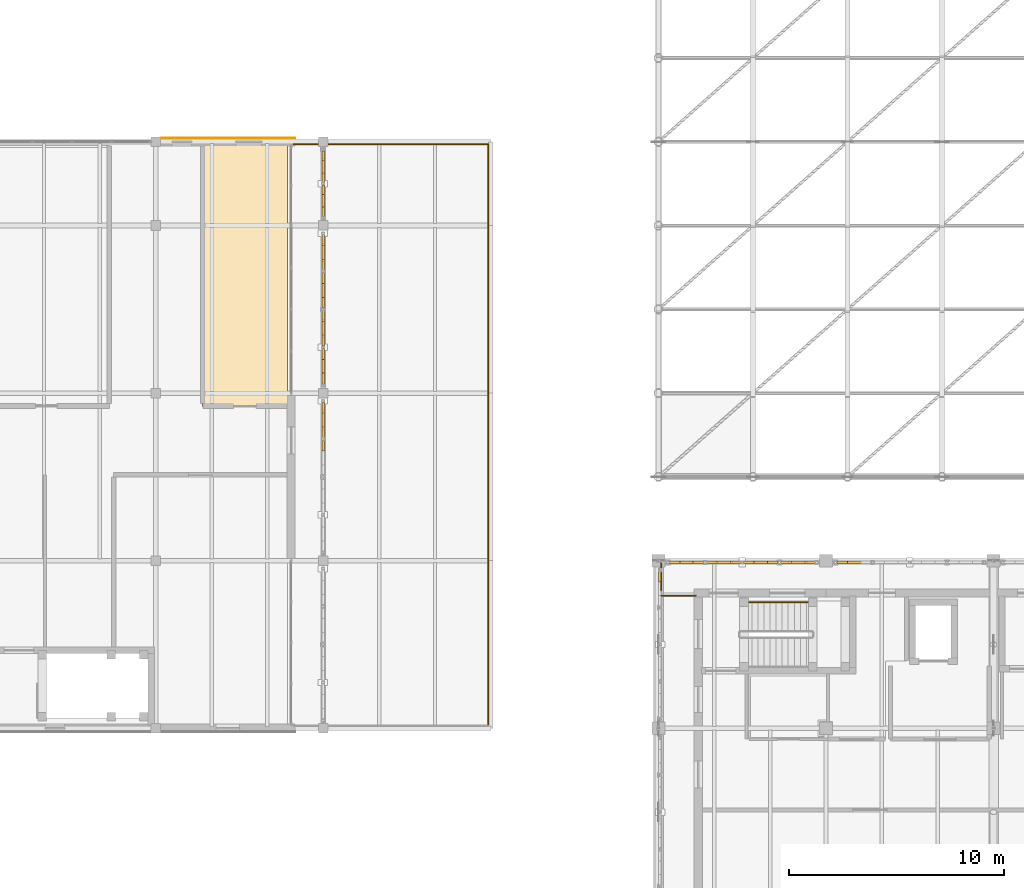
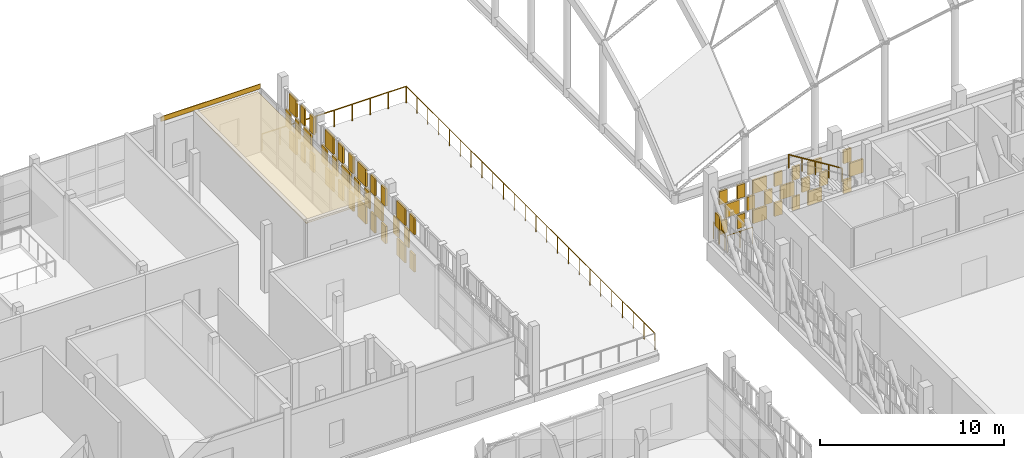
# One storey, part 108 of 119: 57 coverings, 5 railings.
"""IFC4 building model written with IfcOpenShell, lengths in metres."""

from ifc_helpers import new_model, si_unit, direction, frame, origin, origin_2d, place, context, subcontext, project, spatial, polyline, rectangle, circle, outline, extrude, material, layer, layer_set, type_object, element, save


model = new_model("IFC4")

# Units and contexts
model_context = context("Model", 3, precision=1e-05, world=origin(), true_north=direction((0.0, 1.0)))
body_context = subcontext(model_context, "Body", "Model", "MODEL_VIEW")
ifc_project = project(units=[si_unit("LENGTHUNIT", "METRE"), si_unit("AREAUNIT", "SQUARE_METRE"), si_unit("VOLUMEUNIT", "CUBIC_METRE"), si_unit("PLANEANGLEUNIT", "RADIAN"), si_unit("MASSUNIT", "GRAM", prefix="KILO")], contexts=[model_context])

# Site, building, storey
site_placement = place(None, origin())
site = spatial("IfcSite", under=ifc_project, at=site_placement, CompositionType="ELEMENT")
building_placement = place(site_placement, origin())
building = spatial("IfcBuilding", under=site, at=building_placement, Name="Celorna Specialist Clinic", CompositionType="ELEMENT")
storey_placement = place(building_placement, frame((0.0, 0.0, 9.60009765625)))
storey = spatial("IfcBuildingStorey", under=building, at=storey_placement, Name="L02", CompositionType="ELEMENT", Elevation=9.60009765625)

# Railings
ifc_material_1 = material(Name="Stainless steel and laminated glass balustrade", Category="steel")
railing_type_1 = type_object("IfcRailingType", Name="BL-01", PredefinedType="BALUSTRADE", material=ifc_material_1)
railing_1_placement = place(storey_placement, frame((37.6201171875, 62.280029296875, 0.0)))
element("IfcRailing", 1, at=railing_1_placement, inside=storey, type_object=railing_type_1, Name="Nuclear Medicine Cloister Terrace perimeter balustrade 2", PredefinedType="BALUSTRADE", context=body_context, shape_type="SweptSolid", body=[
    extrude(circle(Radius=0.02392578125, at=origin_2d()), frame((0.0, 0.0, 1.09619140625), z_axis=(1.0, 0.0, 0.0), x_axis=(0.0, 1.0, 0.0)), (0.0, 0.0, 1.0), 9.059814453125),
    extrude(circle(Radius=0.02099609375, at=origin_2d()), origin(), (0.0, 0.0, 1.0), 1.072021484375),
    extrude(circle(Radius=0.02099609375, at=origin_2d()), frame((1.132568359375, 0.0, 0.0)), (0.0, 0.0, 1.0), 1.072021484375),
    extrude(circle(Radius=0.02099609375, at=origin_2d()), frame((2.264892578125, 0.0, 0.0)), (0.0, 0.0, 1.0), 1.072021484375),
    extrude(circle(Radius=0.02099609375, at=origin_2d()), frame((3.3974609375, 0.0, 0.0)), (0.0, 0.0, 1.0), 1.072021484375),
    extrude(circle(Radius=0.02099609375, at=origin_2d()), frame((4.52978515625, 0.0, 0.0)), (0.0, 0.0, 1.0), 1.072021484375),
    extrude(circle(Radius=0.02099609375, at=origin_2d()), frame((5.662353515625, 0.0, 0.0)), (0.0, 0.0, 1.0), 1.072021484375),
    extrude(circle(Radius=0.02099609375, at=origin_2d()), frame((6.794921875, 0.0, 0.0)), (0.0, 0.0, 1.0), 1.072021484375),
    extrude(circle(Radius=0.02099609375, at=origin_2d()), frame((7.92724609375, 0.0, 0.0)), (0.0, 0.0, 1.0), 1.072021484375),
    extrude(circle(Radius=0.02099609375, at=origin_2d()), frame((9.059814453125, 0.0, 0.0)), (0.0, 0.0, 1.0), 1.072021484375),
])
railing_2_placement = place(storey_placement, frame((46.679931640625, 62.280029296875, 0.0)))
element("IfcRailing", 2, at=railing_2_placement, inside=storey, type_object=railing_type_1, Name="Nuclear Medicine Cloister Terrace perimeter balustrade 3", PredefinedType="BALUSTRADE", context=body_context, shape_type="SweptSolid", body=[
    extrude(circle(Radius=0.02392578125, at=origin_2d()), frame((0.0, 0.0, 1.09619140625), z_axis=(0.0, -1.0, 0.0), x_axis=(1.0, 0.0, 0.0)), (0.0, 0.0, 1.0), 27.06005859375),
    extrude(circle(Radius=0.02099609375, at=origin_2d()), origin(), (0.0, 0.0, 1.0), 1.072021484375),
    extrude(circle(Radius=0.02099609375, at=origin_2d()), frame((0.0, -1.176513671875, 0.0)), (0.0, 0.0, 1.0), 1.072021484375),
    extrude(circle(Radius=0.02099609375, at=origin_2d()), frame((0.0, -2.35302734375, 0.0)), (0.0, 0.0, 1.0), 1.072021484375),
    extrude(circle(Radius=0.02099609375, at=origin_2d()), frame((0.0, -3.529541015625, 0.0)), (0.0, 0.0, 1.0), 1.072021484375),
    extrude(circle(Radius=0.02099609375, at=origin_2d()), frame((0.0, -4.7060546875, 0.0)), (0.0, 0.0, 1.0), 1.072021484375),
    extrude(circle(Radius=0.02099609375, at=origin_2d()), frame((0.0, -5.882568359375, 0.0)), (0.0, 0.0, 1.0), 1.072021484375),
    extrude(circle(Radius=0.02099609375, at=origin_2d()), frame((0.0, -7.05908203125, 0.0)), (0.0, 0.0, 1.0), 1.072021484375),
    extrude(circle(Radius=0.02099609375, at=origin_2d()), frame((0.0, -8.235595703125, 0.0)), (0.0, 0.0, 1.0), 1.072021484375),
    extrude(circle(Radius=0.02099609375, at=origin_2d()), frame((0.0, -9.412109375, 0.0)), (0.0, 0.0, 1.0), 1.072021484375),
    extrude(circle(Radius=0.02099609375, at=origin_2d()), frame((0.0, -10.588623046875, 0.0)), (0.0, 0.0, 1.0), 1.072021484375),
    extrude(circle(Radius=0.02099609375, at=origin_2d()), frame((0.0, -11.76513671875, 0.0)), (0.0, 0.0, 1.0), 1.072021484375),
    extrude(circle(Radius=0.02099609375, at=origin_2d()), frame((0.0, -12.941650390625, 0.0)), (0.0, 0.0, 1.0), 1.072021484375),
    extrude(circle(Radius=0.02099609375, at=origin_2d()), frame((0.0, -14.118408203125, 0.0)), (0.0, 0.0, 1.0), 1.072021484375),
    extrude(circle(Radius=0.02099609375, at=origin_2d()), frame((0.0, -15.294921875, 0.0)), (0.0, 0.0, 1.0), 1.072021484375),
    extrude(circle(Radius=0.02099609375, at=origin_2d()), frame((0.0, -16.471435546875, 0.0)), (0.0, 0.0, 1.0), 1.072021484375),
    extrude(circle(Radius=0.02099609375, at=origin_2d()), frame((0.0, -17.64794921875, 0.0)), (0.0, 0.0, 1.0), 1.072021484375),
    extrude(circle(Radius=0.02099609375, at=origin_2d()), frame((0.0, -18.824462890625, 0.0)), (0.0, 0.0, 1.0), 1.072021484375),
    extrude(circle(Radius=0.02099609375, at=origin_2d()), frame((0.0, -20.0009765625, 0.0)), (0.0, 0.0, 1.0), 1.072021484375),
    extrude(circle(Radius=0.02099609375, at=origin_2d()), frame((0.0, -21.177490234375, 0.0)), (0.0, 0.0, 1.0), 1.072021484375),
    extrude(circle(Radius=0.02099609375, at=origin_2d()), frame((0.0, -22.35400390625, 0.0)), (0.0, 0.0, 1.0), 1.072021484375),
    extrude(circle(Radius=0.02099609375, at=origin_2d()), frame((0.0, -23.530517578125, 0.0)), (0.0, 0.0, 1.0), 1.072021484375),
    extrude(circle(Radius=0.02099609375, at=origin_2d()), frame((0.0, -24.70703125, 0.0)), (0.0, 0.0, 1.0), 1.072021484375),
    extrude(circle(Radius=0.02099609375, at=origin_2d()), frame((0.0, -25.883544921875, 0.0)), (0.0, 0.0, 1.0), 1.072021484375),
    extrude(circle(Radius=0.02099609375, at=origin_2d()), frame((0.0, -27.06005859375, 0.0)), (0.0, 0.0, 1.0), 1.072021484375),
])
railing_3_placement = place(storey_placement, frame((54.719970703125, 41.280029296875, 0.0)))
element("IfcRailing", 3, at=railing_3_placement, inside=storey, type_object=railing_type_1, Name="Lecture Wing Cantilever Veranda L02 perimeter balustrade 2", PredefinedType="BALUSTRADE", context=body_context, shape_type="SweptSolid", body=[
    extrude(circle(Radius=0.02392578125, at=origin_2d()), frame((0.0, 0.0, 1.09619140625), z_axis=(1.0, 0.0, 0.0), x_axis=(0.0, 1.0, 0.0)), (0.0, 0.0, 1.0), 1.610107421875),
    extrude(circle(Radius=0.02099609375, at=origin_2d()), origin(), (0.0, 0.0, 1.0), 1.072021484375),
    extrude(circle(Radius=0.02099609375, at=origin_2d()), frame((0.80517578125, 0.0, 0.0)), (0.0, 0.0, 1.0), 1.072021484375),
    extrude(circle(Radius=0.02099609375, at=origin_2d()), frame((1.610107421875, 0.0, 0.0)), (0.0, 0.0, 1.0), 1.072021484375),
])
railing_4_placement = place(storey_placement, frame((54.719970703125, 41.52001953125, 0.0)))
element("IfcRailing", 4, at=railing_4_placement, inside=storey, type_object=railing_type_1, Name="Lecture Wing North Court Veranda L02 perimeter balustrade 1", PredefinedType="BALUSTRADE", context=body_context, shape_type="SweptSolid", body=[
    extrude(circle(Radius=0.02392578125, at=origin_2d()), frame((0.0, 0.0, 1.09619140625), z_axis=(0.0, 1.0, 0.0), x_axis=(-1.0, 0.0, 0.0)), (0.0, 0.0, 1.0), 1.260009765625),
    extrude(circle(Radius=0.02099609375, at=origin_2d()), origin(), (0.0, 0.0, 1.0), 1.072021484375),
    extrude(circle(Radius=0.02099609375, at=origin_2d()), frame((0.0, 0.6298828125, 0.0)), (0.0, 0.0, 1.0), 1.072021484375),
    extrude(circle(Radius=0.02099609375, at=origin_2d()), frame((0.0, 1.260009765625, 0.0)), (0.0, 0.0, 1.0), 1.072021484375),
])

# Coverings
ifc_material_2 = material(Name="Hygienic acoustic mineral-fibre ceiling")
ifc_layer_1 = layer(ifc_material_2, 0.030029296875, Name="Hygienic acoustic mineral-fibre ceiling")
ifc_layer_set_1 = layer_set([ifc_layer_1], Name="Hygienic acoustic mineral-fibre ceiling")
covering_type_1 = type_object("IfcCoveringType", Name="CE-01", PredefinedType="CEILING", material=ifc_layer_set_1)
covering_1_placement = place(storey_placement, frame((0.0, 0.0, 4.02978515625)))
element("IfcCovering", 5, at=covering_1_placement, inside=storey, type_object=covering_type_1, Name="Acoustic ceiling L02-021", PredefinedType="CEILING", context=body_context, shape_type="SweptSolid", body=[
    extrude(outline(polyline([(37.324951171875, 62.22509765625), (37.324951171875, 50.0849609375), (33.375, 50.0849609375), (33.375, 62.22509765625), (37.324951171875, 62.22509765625)])), origin(), (0.0, 0.0, 1.0), 0.030029296875),
])
ifc_material_3 = material(Name="Pero Pinheiro Lioz limestone rainscreen cladding", Category="masonry")
ifc_layer_2 = layer(ifc_material_3, 0.044921875, Name="Pero Pinheiro Lioz limestone rainscreen cladding")
ifc_layer_set_2 = layer_set([ifc_layer_2], Name="Pero Pinheiro Lioz limestone rainscreen cladding")
covering_type_2 = type_object("IfcCoveringType", Name="CL-01", PredefinedType="CLADDING", material=ifc_layer_set_2)
covering_2_placement = place(storey_placement, frame((34.5576171875, 62.5673828125, 3.925048828125), z_axis=(0.0, 0.0, 1.0), x_axis=(1.0, 0.0, 0.0)))
element("IfcCovering", 6, at=covering_2_placement, inside=storey, type_object=covering_type_2, Name="Lioz spandrel cladding #135", PredefinedType="CLADDING", context=body_context, shape_type="SweptSolid", body=[
    extrude(rectangle(XDim=6.264892578125, YDim=0.044921875, at=origin_2d()), origin(), (0.0, 0.0, 1.0), 0.31494140625),
])
ifc_material_4 = material(Name="Perforated terracotta brick weave cladding", Category="masonry")
ifc_layer_3 = layer(ifc_material_4, 0.114990234375, Name="Perforated terracotta brick weave cladding")
ifc_layer_set_3 = layer_set([ifc_layer_3], Name="Perforated terracotta brick weave cladding")
covering_type_3 = type_object("IfcCoveringType", Name="CL-02", PredefinedType="CLADDING", material=ifc_layer_set_3)
for number, where, z_axis, x_axis, name in (
    (7, (54.669921875, 42.154296875, 1.09326171875), (0.0, 0.0, 1.0), (0.0, 1.0, 0.0), "Woven perforated terracotta brick course #225"),
    (8, (55.345458984375, 42.830078125, 0.099609375), (0.0, 0.0, 1.0), (1.0, 0.0, 0.0), "Woven perforated terracotta brick course #473"),
    (9, (56.46435546875, 42.830078125, 0.099609375), (0.0, 0.0, 1.0), (1.0, 0.0, 0.0), "Woven perforated terracotta brick course #474"),
):
    element("IfcCovering", number, at=place(storey_placement, frame(where, z_axis=z_axis, x_axis=x_axis)), inside=storey, type_object=covering_type_3, Name=name, PredefinedType="CLADDING", context=body_context, shape_type="SweptSolid", body=[
        extrude(rectangle(XDim=0.4912109375, YDim=0.114990234375, at=origin_2d()), origin(), (0.0, 0.0, 1.0), 0.893310546875),
    ])
covering_3_placement = place(storey_placement, frame((55.905029296875, 42.830078125, 1.09326171875), z_axis=(0.0, 0.0, 1.0), x_axis=(1.0, 0.0, 0.0)))
element("IfcCovering", 10, at=covering_3_placement, inside=storey, type_object=covering_type_3, Name="Woven perforated terracotta brick course #475", PredefinedType="CLADDING", context=body_context, shape_type="SweptSolid", body=[
    extrude(rectangle(XDim=0.869384765625, YDim=0.114990234375, at=origin_2d()), origin(), (0.0, 0.0, 1.0), 0.893310546875),
])
for number, where, z_axis, x_axis, name in (
    (11, (55.345458984375, 42.830078125, 2.08642578125), (0.0, 0.0, 1.0), (1.0, 0.0, 0.0), "Woven perforated terracotta brick course #476"),
    (12, (56.46435546875, 42.830078125, 2.08642578125), (0.0, 0.0, 1.0), (1.0, 0.0, 0.0), "Woven perforated terracotta brick course #477"),
):
    element("IfcCovering", number, at=place(storey_placement, frame(where, z_axis=z_axis, x_axis=x_axis)), inside=storey, type_object=covering_type_3, Name=name, PredefinedType="CLADDING", context=body_context, shape_type="SweptSolid", body=[
        extrude(rectangle(XDim=0.4912109375, YDim=0.114990234375, at=origin_2d()), origin(), (0.0, 0.0, 1.0), 0.893310546875),
    ])
covering_4_placement = place(storey_placement, frame((57.635009765625, 42.830078125, 0.099609375), z_axis=(0.0, 0.0, 1.0), x_axis=(1.0, 0.0, 0.0)))
element("IfcCovering", 13, at=covering_4_placement, inside=storey, type_object=covering_type_3, Name="Woven perforated terracotta brick course #478", PredefinedType="CLADDING", context=body_context, shape_type="SweptSolid", body=[
    extrude(rectangle(XDim=0.869384765625, YDim=0.114990234375, at=origin_2d()), origin(), (0.0, 0.0, 1.0), 0.893310546875),
])
for number, where, z_axis, x_axis, name in (
    (14, (57.075439453125, 42.830078125, 1.09326171875), (0.0, 0.0, 1.0), (1.0, 0.0, 0.0), "Woven perforated terracotta brick course #479"),
    (15, (58.194580078125, 42.830078125, 1.09326171875), (0.0, 0.0, 1.0), (1.0, 0.0, 0.0), "Woven perforated terracotta brick course #480"),
):
    element("IfcCovering", number, at=place(storey_placement, frame(where, z_axis=z_axis, x_axis=x_axis)), inside=storey, type_object=covering_type_3, Name=name, PredefinedType="CLADDING", context=body_context, shape_type="SweptSolid", body=[
        extrude(rectangle(XDim=0.4912109375, YDim=0.114990234375, at=origin_2d()), origin(), (0.0, 0.0, 1.0), 0.893310546875),
    ])
covering_5_placement = place(storey_placement, frame((57.635009765625, 42.830078125, 2.08642578125), z_axis=(0.0, 0.0, 1.0), x_axis=(1.0, 0.0, 0.0)))
element("IfcCovering", 16, at=covering_5_placement, inside=storey, type_object=covering_type_3, Name="Woven perforated terracotta brick course #481", PredefinedType="CLADDING", context=body_context, shape_type="SweptSolid", body=[
    extrude(rectangle(XDim=0.869384765625, YDim=0.114990234375, at=origin_2d()), origin(), (0.0, 0.0, 1.0), 0.893310546875),
])
for number, where, z_axis, x_axis, name in (
    (17, (58.805419921875, 42.830078125, 0.099609375), (0.0, 0.0, 1.0), (1.0, 0.0, 0.0), "Woven perforated terracotta brick course #482"),
    (18, (59.924560546875, 42.830078125, 0.099609375), (0.0, 0.0, 1.0), (1.0, 0.0, 0.0), "Woven perforated terracotta brick course #483"),
):
    element("IfcCovering", number, at=place(storey_placement, frame(where, z_axis=z_axis, x_axis=x_axis)), inside=storey, type_object=covering_type_3, Name=name, PredefinedType="CLADDING", context=body_context, shape_type="SweptSolid", body=[
        extrude(rectangle(XDim=0.4912109375, YDim=0.114990234375, at=origin_2d()), origin(), (0.0, 0.0, 1.0), 0.893310546875),
    ])
covering_6_placement = place(storey_placement, frame((59.364990234375, 42.830078125, 1.09326171875), z_axis=(0.0, 0.0, 1.0), x_axis=(1.0, 0.0, 0.0)))
element("IfcCovering", 19, at=covering_6_placement, inside=storey, type_object=covering_type_3, Name="Woven perforated terracotta brick course #484", PredefinedType="CLADDING", context=body_context, shape_type="SweptSolid", body=[
    extrude(rectangle(XDim=0.869384765625, YDim=0.114990234375, at=origin_2d()), origin(), (0.0, 0.0, 1.0), 0.893310546875),
])
for number, where, z_axis, x_axis, name in (
    (20, (58.805419921875, 42.830078125, 2.08642578125), (0.0, 0.0, 1.0), (1.0, 0.0, 0.0), "Woven perforated terracotta brick course #485"),
    (21, (59.924560546875, 42.830078125, 2.08642578125), (0.0, 0.0, 1.0), (1.0, 0.0, 0.0), "Woven perforated terracotta brick course #486"),
):
    element("IfcCovering", number, at=place(storey_placement, frame(where, z_axis=z_axis, x_axis=x_axis)), inside=storey, type_object=covering_type_3, Name=name, PredefinedType="CLADDING", context=body_context, shape_type="SweptSolid", body=[
        extrude(rectangle(XDim=0.4912109375, YDim=0.114990234375, at=origin_2d()), origin(), (0.0, 0.0, 1.0), 0.893310546875),
    ])
covering_7_placement = place(storey_placement, frame((61.094970703125, 42.830078125, 0.099609375), z_axis=(0.0, 0.0, 1.0), x_axis=(1.0, 0.0, 0.0)))
element("IfcCovering", 22, at=covering_7_placement, inside=storey, type_object=covering_type_3, Name="Woven perforated terracotta brick course #487", PredefinedType="CLADDING", context=body_context, shape_type="SweptSolid", body=[
    extrude(rectangle(XDim=0.869384765625, YDim=0.114990234375, at=origin_2d()), origin(), (0.0, 0.0, 1.0), 0.893310546875),
])
for number, where, z_axis, x_axis, name in (
    (23, (60.53564453125, 42.830078125, 1.09326171875), (0.0, 0.0, 1.0), (1.0, 0.0, 0.0), "Woven perforated terracotta brick course #488"),
    (24, (61.654296875, 42.830078125, 1.09326171875), (0.0, 0.0, 1.0), (1.0, 0.0, 0.0), "Woven perforated terracotta brick course #489"),
):
    element("IfcCovering", number, at=place(storey_placement, frame(where, z_axis=z_axis, x_axis=x_axis)), inside=storey, type_object=covering_type_3, Name=name, PredefinedType="CLADDING", context=body_context, shape_type="SweptSolid", body=[
        extrude(rectangle(XDim=0.4912109375, YDim=0.114990234375, at=origin_2d()), origin(), (0.0, 0.0, 1.0), 0.893310546875),
    ])
covering_8_placement = place(storey_placement, frame((61.094970703125, 42.830078125, 2.08642578125), z_axis=(0.0, 0.0, 1.0), x_axis=(1.0, 0.0, 0.0)))
element("IfcCovering", 25, at=covering_8_placement, inside=storey, type_object=covering_type_3, Name="Woven perforated terracotta brick course #490", PredefinedType="CLADDING", context=body_context, shape_type="SweptSolid", body=[
    extrude(rectangle(XDim=0.869384765625, YDim=0.114990234375, at=origin_2d()), origin(), (0.0, 0.0, 1.0), 0.893310546875),
])
covering_9_placement = place(storey_placement, frame((63.1455078125, 42.830078125, 0.099609375), z_axis=(0.0, 0.0, 1.0), x_axis=(1.0, 0.0, 0.0)))
element("IfcCovering", 26, at=covering_9_placement, inside=storey, type_object=covering_type_3, Name="Woven perforated terracotta brick course #491", PredefinedType="CLADDING", context=body_context, shape_type="SweptSolid", body=[
    extrude(rectangle(XDim=0.4912109375, YDim=0.114990234375, at=origin_2d()), origin(), (0.0, 0.0, 1.0), 0.893310546875),
])
covering_10_placement = place(storey_placement, frame((63.705078125, 42.830078125, 1.09326171875), z_axis=(0.0, 0.0, 1.0), x_axis=(1.0, 0.0, 0.0)))
element("IfcCovering", 27, at=covering_10_placement, inside=storey, type_object=covering_type_3, Name="Woven perforated terracotta brick course #493", PredefinedType="CLADDING", context=body_context, shape_type="SweptSolid", body=[
    extrude(rectangle(XDim=0.869384765625, YDim=0.114990234375, at=origin_2d()), origin(), (0.0, 0.0, 1.0), 0.893310546875),
])
covering_11_placement = place(storey_placement, frame((63.1455078125, 42.830078125, 2.08642578125), z_axis=(0.0, 0.0, 1.0), x_axis=(1.0, 0.0, 0.0)))
element("IfcCovering", 28, at=covering_11_placement, inside=storey, type_object=covering_type_3, Name="Woven perforated terracotta brick course #494", PredefinedType="CLADDING", context=body_context, shape_type="SweptSolid", body=[
    extrude(rectangle(XDim=0.4912109375, YDim=0.114990234375, at=origin_2d()), origin(), (0.0, 0.0, 1.0), 0.893310546875),
])
for number, where, z_axis, x_axis, name in (
    (29, (38.989990234375, 48.25634765625, 0.10009765625), (0.0, 0.0, 1.0), (0.0, 1.0, 0.0), "Woven perforated terracotta brick course #1347"),
    (30, (38.989990234375, 48.25634765625, 2.59326171875), (0.0, 0.0, 1.0), (0.0, 1.0, 0.0), "Woven perforated terracotta brick course #1350"),
):
    element("IfcCovering", number, at=place(storey_placement, frame(where, z_axis=z_axis, x_axis=x_axis)), inside=storey, type_object=covering_type_3, Name=name, PredefinedType="CLADDING", context=body_context, shape_type="SweptSolid", body=[
        extrude(rectangle(XDim=0.50244140625, YDim=0.114990234375, at=origin_2d()), origin(), (0.0, 0.0, 1.0), 1.146728515625),
    ])
covering_12_placement = place(storey_placement, frame((38.989990234375, 49.451416015625, 0.10009765625), z_axis=(0.0, 0.0, 1.0), x_axis=(0.0, 1.0, 0.0)))
element("IfcCovering", 31, at=covering_12_placement, inside=storey, type_object=covering_type_3, Name="Woven perforated terracotta brick course #1351", PredefinedType="CLADDING", context=body_context, shape_type="SweptSolid", body=[
    extrude(rectangle(XDim=0.8896484375, YDim=0.114990234375, at=origin_2d()), origin(), (0.0, 0.0, 1.0), 1.146728515625),
])
for number, where, z_axis, x_axis, name in (
    (32, (38.989990234375, 48.87890625, 1.3466796875), (0.0, 0.0, 1.0), (0.0, 1.0, 0.0), "Woven perforated terracotta brick course #1352"),
    (33, (38.989990234375, 50.023681640625, 1.3466796875), (0.0, 0.0, 1.0), (0.0, 1.0, 0.0), "Woven perforated terracotta brick course #1353"),
):
    element("IfcCovering", number, at=place(storey_placement, frame(where, z_axis=z_axis, x_axis=x_axis)), inside=storey, type_object=covering_type_3, Name=name, PredefinedType="CLADDING", context=body_context, shape_type="SweptSolid", body=[
        extrude(rectangle(XDim=0.50244140625, YDim=0.114990234375, at=origin_2d()), origin(), (0.0, 0.0, 1.0), 1.146484375),
    ])
covering_13_placement = place(storey_placement, frame((38.989990234375, 49.451416015625, 2.59326171875), z_axis=(0.0, 0.0, 1.0), x_axis=(0.0, 1.0, 0.0)))
element("IfcCovering", 34, at=covering_13_placement, inside=storey, type_object=covering_type_3, Name="Woven perforated terracotta brick course #1354", PredefinedType="CLADDING", context=body_context, shape_type="SweptSolid", body=[
    extrude(rectangle(XDim=0.8896484375, YDim=0.114990234375, at=origin_2d()), origin(), (0.0, 0.0, 1.0), 1.146728515625),
])
for number, where, z_axis, x_axis, name in (
    (35, (38.989990234375, 51.376220703125, 0.10009765625), (0.0, 0.0, 1.0), (0.0, 1.0, 0.0), "Woven perforated terracotta brick course #1355"),
    (36, (38.989990234375, 52.521240234375, 0.10009765625), (0.0, 0.0, 1.0), (0.0, 1.0, 0.0), "Woven perforated terracotta brick course #1356"),
):
    element("IfcCovering", number, at=place(storey_placement, frame(where, z_axis=z_axis, x_axis=x_axis)), inside=storey, type_object=covering_type_3, Name=name, PredefinedType="CLADDING", context=body_context, shape_type="SweptSolid", body=[
        extrude(rectangle(XDim=0.50244140625, YDim=0.114990234375, at=origin_2d()), origin(), (0.0, 0.0, 1.0), 1.146728515625),
    ])
covering_14_placement = place(storey_placement, frame((38.989990234375, 51.94873046875, 1.3466796875), z_axis=(0.0, 0.0, 1.0), x_axis=(0.0, 1.0, 0.0)))
element("IfcCovering", 37, at=covering_14_placement, inside=storey, type_object=covering_type_3, Name="Woven perforated terracotta brick course #1357", PredefinedType="CLADDING", context=body_context, shape_type="SweptSolid", body=[
    extrude(rectangle(XDim=0.8896484375, YDim=0.114990234375, at=origin_2d()), origin(), (0.0, 0.0, 1.0), 1.146484375),
])
for number, where, z_axis, x_axis, name in (
    (38, (38.989990234375, 51.376220703125, 2.59326171875), (0.0, 0.0, 1.0), (0.0, 1.0, 0.0), "Woven perforated terracotta brick course #1358"),
    (39, (38.989990234375, 52.521240234375, 2.59326171875), (0.0, 0.0, 1.0), (0.0, 1.0, 0.0), "Woven perforated terracotta brick course #1359"),
):
    element("IfcCovering", number, at=place(storey_placement, frame(where, z_axis=z_axis, x_axis=x_axis)), inside=storey, type_object=covering_type_3, Name=name, PredefinedType="CLADDING", context=body_context, shape_type="SweptSolid", body=[
        extrude(rectangle(XDim=0.50244140625, YDim=0.114990234375, at=origin_2d()), origin(), (0.0, 0.0, 1.0), 1.146728515625),
    ])
covering_15_placement = place(storey_placement, frame((38.989990234375, 53.71630859375, 0.10009765625), z_axis=(0.0, 0.0, 1.0), x_axis=(0.0, 1.0, 0.0)))
element("IfcCovering", 40, at=covering_15_placement, inside=storey, type_object=covering_type_3, Name="Woven perforated terracotta brick course #1360", PredefinedType="CLADDING", context=body_context, shape_type="SweptSolid", body=[
    extrude(rectangle(XDim=0.8896484375, YDim=0.114990234375, at=origin_2d()), origin(), (0.0, 0.0, 1.0), 1.146728515625),
])
for number, where, z_axis, x_axis, name in (
    (41, (38.989990234375, 53.143798828125, 1.3466796875), (0.0, 0.0, 1.0), (0.0, 1.0, 0.0), "Woven perforated terracotta brick course #1361"),
    (42, (38.989990234375, 54.288818359375, 1.3466796875), (0.0, 0.0, 1.0), (0.0, 1.0, 0.0), "Woven perforated terracotta brick course #1362"),
):
    element("IfcCovering", number, at=place(storey_placement, frame(where, z_axis=z_axis, x_axis=x_axis)), inside=storey, type_object=covering_type_3, Name=name, PredefinedType="CLADDING", context=body_context, shape_type="SweptSolid", body=[
        extrude(rectangle(XDim=0.50244140625, YDim=0.114990234375, at=origin_2d()), origin(), (0.0, 0.0, 1.0), 1.146484375),
    ])
covering_16_placement = place(storey_placement, frame((38.989990234375, 53.71630859375, 2.59326171875), z_axis=(0.0, 0.0, 1.0), x_axis=(0.0, 1.0, 0.0)))
element("IfcCovering", 43, at=covering_16_placement, inside=storey, type_object=covering_type_3, Name="Woven perforated terracotta brick course #1363", PredefinedType="CLADDING", context=body_context, shape_type="SweptSolid", body=[
    extrude(rectangle(XDim=0.8896484375, YDim=0.114990234375, at=origin_2d()), origin(), (0.0, 0.0, 1.0), 1.146728515625),
])
for number, where, z_axis, x_axis, name in (
    (44, (38.989990234375, 54.911376953125, 0.10009765625), (0.0, 0.0, 1.0), (0.0, 1.0, 0.0), "Woven perforated terracotta brick course #1364"),
    (45, (38.989990234375, 56.05615234375, 0.10009765625), (0.0, 0.0, 1.0), (0.0, 1.0, 0.0), "Woven perforated terracotta brick course #1365"),
):
    element("IfcCovering", number, at=place(storey_placement, frame(where, z_axis=z_axis, x_axis=x_axis)), inside=storey, type_object=covering_type_3, Name=name, PredefinedType="CLADDING", context=body_context, shape_type="SweptSolid", body=[
        extrude(rectangle(XDim=0.50244140625, YDim=0.114990234375, at=origin_2d()), origin(), (0.0, 0.0, 1.0), 1.146728515625),
    ])
covering_17_placement = place(storey_placement, frame((38.989990234375, 55.48388671875, 1.3466796875), z_axis=(0.0, 0.0, 1.0), x_axis=(0.0, 1.0, 0.0)))
element("IfcCovering", 46, at=covering_17_placement, inside=storey, type_object=covering_type_3, Name="Woven perforated terracotta brick course #1366", PredefinedType="CLADDING", context=body_context, shape_type="SweptSolid", body=[
    extrude(rectangle(XDim=0.8896484375, YDim=0.114990234375, at=origin_2d()), origin(), (0.0, 0.0, 1.0), 1.146484375),
])
for number, where, z_axis, x_axis, name in (
    (47, (38.989990234375, 54.911376953125, 2.59326171875), (0.0, 0.0, 1.0), (0.0, 1.0, 0.0), "Woven perforated terracotta brick course #1367"),
    (48, (38.989990234375, 56.05615234375, 2.59326171875), (0.0, 0.0, 1.0), (0.0, 1.0, 0.0), "Woven perforated terracotta brick course #1368"),
):
    element("IfcCovering", number, at=place(storey_placement, frame(where, z_axis=z_axis, x_axis=x_axis)), inside=storey, type_object=covering_type_3, Name=name, PredefinedType="CLADDING", context=body_context, shape_type="SweptSolid", body=[
        extrude(rectangle(XDim=0.50244140625, YDim=0.114990234375, at=origin_2d()), origin(), (0.0, 0.0, 1.0), 1.146728515625),
    ])
covering_18_placement = place(storey_placement, frame((38.989990234375, 57.251220703125, 0.10009765625), z_axis=(0.0, 0.0, 1.0), x_axis=(0.0, 1.0, 0.0)))
element("IfcCovering", 49, at=covering_18_placement, inside=storey, type_object=covering_type_3, Name="Woven perforated terracotta brick course #1369", PredefinedType="CLADDING", context=body_context, shape_type="SweptSolid", body=[
    extrude(rectangle(XDim=0.8896484375, YDim=0.114990234375, at=origin_2d()), origin(), (0.0, 0.0, 1.0), 1.146728515625),
])
for number, where, z_axis, x_axis, name in (
    (50, (38.989990234375, 56.6787109375, 1.3466796875), (0.0, 0.0, 1.0), (0.0, 1.0, 0.0), "Woven perforated terracotta brick course #1370"),
    (51, (38.989990234375, 57.82373046875, 1.3466796875), (0.0, 0.0, 1.0), (0.0, 1.0, 0.0), "Woven perforated terracotta brick course #1371"),
):
    element("IfcCovering", number, at=place(storey_placement, frame(where, z_axis=z_axis, x_axis=x_axis)), inside=storey, type_object=covering_type_3, Name=name, PredefinedType="CLADDING", context=body_context, shape_type="SweptSolid", body=[
        extrude(rectangle(XDim=0.50244140625, YDim=0.114990234375, at=origin_2d()), origin(), (0.0, 0.0, 1.0), 1.146484375),
    ])
covering_19_placement = place(storey_placement, frame((38.989990234375, 57.251220703125, 2.59326171875), z_axis=(0.0, 0.0, 1.0), x_axis=(0.0, 1.0, 0.0)))
element("IfcCovering", 52, at=covering_19_placement, inside=storey, type_object=covering_type_3, Name="Woven perforated terracotta brick course #1372", PredefinedType="CLADDING", context=body_context, shape_type="SweptSolid", body=[
    extrude(rectangle(XDim=0.8896484375, YDim=0.114990234375, at=origin_2d()), origin(), (0.0, 0.0, 1.0), 1.146728515625),
])
for number, where, z_axis, x_axis, name in (
    (53, (38.989990234375, 59.1484375, 0.10009765625), (0.0, 0.0, 1.0), (0.0, 1.0, 0.0), "Woven perforated terracotta brick course #1373"),
    (54, (38.989990234375, 60.16650390625, 0.10009765625), (0.0, 0.0, 1.0), (0.0, 1.0, 0.0), "Woven perforated terracotta brick course #1374"),
):
    element("IfcCovering", number, at=place(storey_placement, frame(where, z_axis=z_axis, x_axis=x_axis)), inside=storey, type_object=covering_type_3, Name=name, PredefinedType="CLADDING", context=body_context, shape_type="SweptSolid", body=[
        extrude(rectangle(XDim=0.44677734375, YDim=0.114990234375, at=origin_2d()), origin(), (0.0, 0.0, 1.0), 1.146728515625),
    ])
covering_20_placement = place(storey_placement, frame((38.989990234375, 59.657470703125, 1.3466796875), z_axis=(0.0, 0.0, 1.0), x_axis=(0.0, 1.0, 0.0)))
element("IfcCovering", 55, at=covering_20_placement, inside=storey, type_object=covering_type_3, Name="Woven perforated terracotta brick course #1375", PredefinedType="CLADDING", context=body_context, shape_type="SweptSolid", body=[
    extrude(rectangle(XDim=0.791015625, YDim=0.114990234375, at=origin_2d()), origin(), (0.0, 0.0, 1.0), 1.146484375),
])
for number, where, z_axis, x_axis, name in (
    (56, (38.989990234375, 59.1484375, 2.59326171875), (0.0, 0.0, 1.0), (0.0, 1.0, 0.0), "Woven perforated terracotta brick course #1376"),
    (57, (38.989990234375, 60.16650390625, 2.59326171875), (0.0, 0.0, 1.0), (0.0, 1.0, 0.0), "Woven perforated terracotta brick course #1377"),
):
    element("IfcCovering", number, at=place(storey_placement, frame(where, z_axis=z_axis, x_axis=x_axis)), inside=storey, type_object=covering_type_3, Name=name, PredefinedType="CLADDING", context=body_context, shape_type="SweptSolid", body=[
        extrude(rectangle(XDim=0.44677734375, YDim=0.114990234375, at=origin_2d()), origin(), (0.0, 0.0, 1.0), 1.146728515625),
    ])
covering_21_placement = place(storey_placement, frame((38.989990234375, 61.242431640625, 0.10009765625), z_axis=(0.0, 0.0, 1.0), x_axis=(0.0, 1.0, 0.0)))
element("IfcCovering", 58, at=covering_21_placement, inside=storey, type_object=covering_type_3, Name="Woven perforated terracotta brick course #1378", PredefinedType="CLADDING", context=body_context, shape_type="SweptSolid", body=[
    extrude(rectangle(XDim=0.791015625, YDim=0.114990234375, at=origin_2d()), origin(), (0.0, 0.0, 1.0), 1.146728515625),
])
for number, where, z_axis, x_axis, name in (
    (59, (38.989990234375, 60.7333984375, 1.3466796875), (0.0, 0.0, 1.0), (0.0, 1.0, 0.0), "Woven perforated terracotta brick course #1379"),
    (60, (38.989990234375, 61.751708984375, 1.3466796875), (0.0, 0.0, 1.0), (0.0, 1.0, 0.0), "Woven perforated terracotta brick course #1380"),
):
    element("IfcCovering", number, at=place(storey_placement, frame(where, z_axis=z_axis, x_axis=x_axis)), inside=storey, type_object=covering_type_3, Name=name, PredefinedType="CLADDING", context=body_context, shape_type="SweptSolid", body=[
        extrude(rectangle(XDim=0.44677734375, YDim=0.114990234375, at=origin_2d()), origin(), (0.0, 0.0, 1.0), 1.146484375),
    ])
covering_22_placement = place(storey_placement, frame((38.989990234375, 61.242431640625, 2.59326171875), z_axis=(0.0, 0.0, 1.0), x_axis=(0.0, 1.0, 0.0)))
element("IfcCovering", 61, at=covering_22_placement, inside=storey, type_object=covering_type_3, Name="Woven perforated terracotta brick course #1381", PredefinedType="CLADDING", context=body_context, shape_type="SweptSolid", body=[
    extrude(rectangle(XDim=0.791015625, YDim=0.114990234375, at=origin_2d()), origin(), (0.0, 0.0, 1.0), 1.146728515625),
])

# Railing
ifc_material_5 = material(Name="Brushed stainless steel handrail", Category="steel")
railing_type_2 = type_object("IfcRailingType", Name="HR-01", PredefinedType="HANDRAIL", material=ifc_material_5)
railing_5_placement = place(storey_placement, frame((61.760009765625, 40.969970703125, 2.423095703125)))
element("IfcRailing", 62, at=railing_5_placement, inside=storey, type_object=railing_type_2, Name="L02 ST-08 stair handrail 2", PredefinedType="HANDRAIL", context=body_context, shape_type="SweptSolid", body=[
    extrude(circle(Radius=0.02392578125, at=origin_2d()), frame((0.0, 0.0, 0.8759765625), z_axis=(-0.850623216509, 0.0, 0.525775754039), x_axis=(0.0, -1.0, 0.0)), (0.0, 0.0, 1.0), 3.9501953125),
    extrude(circle(Radius=0.02099609375, at=origin_2d()), origin(), (0.0, 0.0, 1.0), 0.851806640625),
    extrude(circle(Radius=0.02099609375, at=origin_2d()), frame((-0.840087890625, 0.0, 0.519287109375)), (0.0, 0.0, 1.0), 0.851806640625),
    extrude(circle(Radius=0.02099609375, at=origin_2d()), frame((-1.68017578125, 0.0, 1.03857421875)), (0.0, 0.0, 1.0), 0.851806640625),
    extrude(circle(Radius=0.02099609375, at=origin_2d()), frame((-2.52001953125, 0.0, 1.5576171875)), (0.0, 0.0, 1.0), 0.851806640625),
    extrude(circle(Radius=0.02099609375, at=origin_2d()), frame((-3.360107421875, 0.0, 2.076904296875)), (0.0, 0.0, 1.0), 0.851806640625),
])

save(model, "model.ifc")
